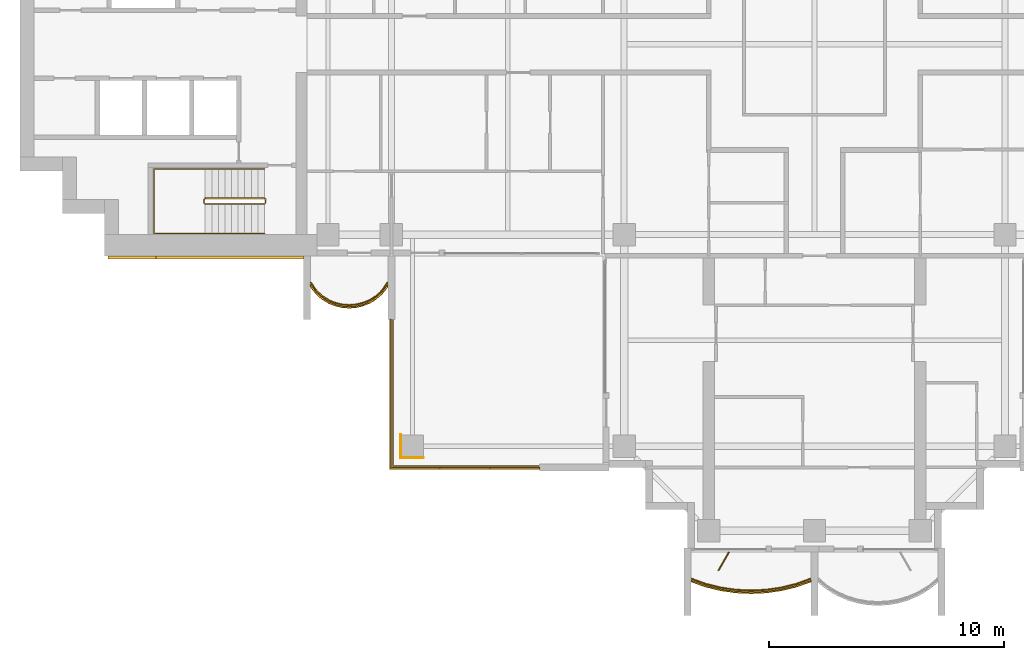
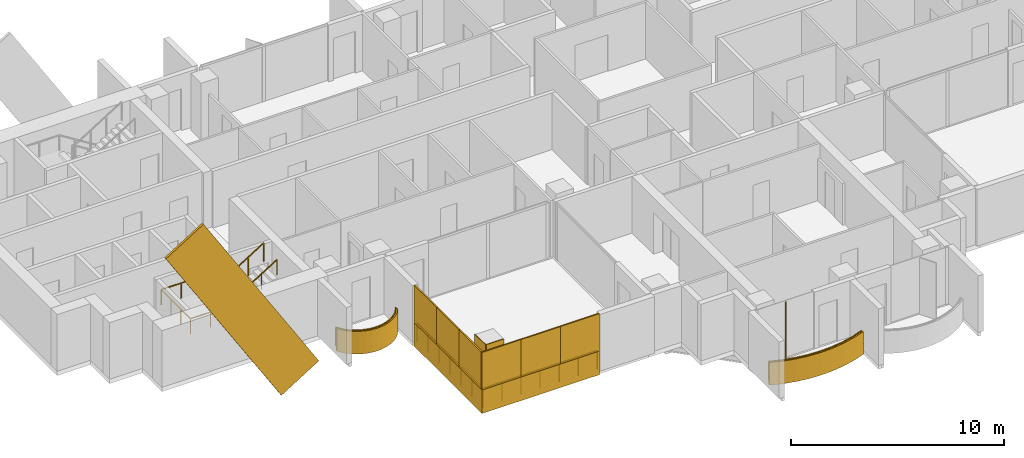
# One storey, part 14 of 17: 12 coverings, 5 railings, 1 shading device.
"""IFC4 building model written with IfcOpenShell, lengths in metres."""

from ifc_helpers import new_model, si_unit, direction, frame, origin, origin_2d, place, context, subcontext, project, spatial, polyline, rectangle, outline, extrude, material, layer, layer_set, material_profile, profile_set, type_object, element, save


model = new_model("IFC4")

# Units and contexts
model_context = context("Model", 3, precision=1e-05, world=origin(), true_north=direction((0.0, 1.0)))
body_context = subcontext(model_context, "Body", "Model", "MODEL_VIEW")
ifc_project = project(units=[si_unit("LENGTHUNIT", "METRE"), si_unit("AREAUNIT", "SQUARE_METRE"), si_unit("VOLUMEUNIT", "CUBIC_METRE"), si_unit("PLANEANGLEUNIT", "RADIAN"), si_unit("MASSUNIT", "GRAM", prefix="KILO")], contexts=[model_context])

# Site, building, storey
site_placement = place(None, origin())
site = spatial("IfcSite", under=ifc_project, at=site_placement, CompositionType="ELEMENT")
building_placement = place(site_placement, origin())
building = spatial("IfcBuilding", under=site, at=building_placement, Name="Perihelion Cross Residences", CompositionType="ELEMENT")
storey_placement = place(building_placement, frame((0.0, 0.0, 208.60009765625)))
storey = spatial("IfcBuildingStorey", under=building, at=storey_placement, Name="L52", CompositionType="ELEMENT", Elevation=208.60009765625)

# Coverings
ifc_material_1 = material(Name="Bronze anodised aluminium", Category="aluminium")
ifc_layer_1 = layer(ifc_material_1, 0.070068359375)
ifc_layer_set_1 = layer_set([ifc_layer_1], Name="Balcony fascia 1300")
covering_type_1 = type_object("IfcCoveringType", Name="Balcony fascia 1300", PredefinedType="CLADDING", material=ifc_layer_set_1)
covering_1_placement = place(storey_placement, frame((0.0, 0.0, -0.2001953125)))
element("IfcCovering", 1, at=covering_1_placement, inside=storey, type_object=covering_type_1, Name="Fascia BF1 L52 west side south bay 1", PredefinedType="CLADDING", context=body_context, shape_type="SweptSolid", body=[
    extrude(outline(polyline([(-21.226318359375, -10.616455078125), (-20.94091796875, -10.86328125), (-20.655517578125, -11.031494140625), (-20.370361328125, -11.142578125), (-20.085205078125, -11.206298828125), (-19.800048828125, -11.22705078125), (-19.514892578125, -11.206298828125), (-19.229736328125, -11.142578125), (-18.9443359375, -11.031494140625), (-18.6591796875, -10.86328125), (-18.373779296875, -10.616455078125), (-18.14990234375, -10.31689453125), (-18.14990234375, -10.199951171875), (-18.425048828125, -10.568603515625), (-18.699951171875, -10.806396484375), (-18.97509765625, -10.96875), (-19.25, -11.07568359375), (-19.52490234375, -11.136962890625), (-19.800048828125, -11.156982421875), (-20.074951171875, -11.136962890625), (-20.35009765625, -11.07568359375), (-20.625, -10.96875), (-20.89990234375, -10.806396484375), (-21.175048828125, -10.568603515625), (-21.449951171875, -10.199951171875), (-21.449951171875, -10.31689453125), (-21.226318359375, -10.616455078125)])), origin(), (0.0, 0.0, 1.0), 1.300048828125),
])
covering_2_placement = place(storey_placement, frame((0.0, 0.0, -0.2001953125)))
element("IfcCovering", 2, at=covering_2_placement, inside=storey, type_object=covering_type_1, Name="Fascia BF1 L52 south tip south bay 1", PredefinedType="CLADDING", context=body_context, shape_type="SweptSolid", body=[
    extrude(outline(polyline([(-4.63232421875, -23.090576171875), (-3.98828125, -23.247314453125), (-3.34423828125, -23.339599609375), (-2.699951171875, -23.3701171875), (-2.055908203125, -23.339599609375), (-1.411865234375, -23.247314453125), (-0.767578125, -23.090576171875), (-0.14990234375, -22.874267578125), (-0.14990234375, -22.800048828125), (-0.78759765625, -23.0234375), (-1.425048828125, -23.178466796875), (-2.0625, -23.269775390625), (-2.699951171875, -23.300048828125), (-3.33740234375, -23.269775390625), (-3.97509765625, -23.178466796875), (-4.612548828125, -23.0234375), (-5.25, -22.800048828125), (-5.25, -22.874267578125), (-4.63232421875, -23.090576171875)])), origin(), (0.0, 0.0, 1.0), 1.300048828125),
])

# Railings
ifc_material_2 = material(Name="Bronze anodised aluminium", Category="aluminium")
railing_type_1 = type_object("IfcRailingType", Name="Balcony guard 1100", PredefinedType="GUARDRAIL", material=ifc_material_2)
railing_1_placement = place(storey_placement, frame((-21.425048828125, -10.139892578125, 0.0)))
element("IfcRailing", 3, at=railing_1_placement, inside=storey, type_object=railing_type_1, Name="Guard GU1 L52 west side south bay 1 balcony", PredefinedType="GUARDRAIL", context=body_context, shape_type="SweptSolid", body=[
    extrude(rectangle(XDim=0.048095703125, YDim=0.048095703125, at=origin_2d()), frame((0.0, 0.0, 1.076171875), z_axis=(0.561260132269, -0.827639452857, 0.0), x_axis=(0.827639452857, 0.561260132269, 0.0)), (0.0, 0.0, 1.0), 0.4453125),
    extrude(rectangle(XDim=0.048095703125, YDim=0.048095703125, at=origin_2d()), frame((0.25, -0.36865234375, 1.076171875), z_axis=(0.756596535164, -0.653882009982, 0.0), x_axis=(0.653882009982, 0.756596535164, 0.0)), (0.0, 0.0, 1.0), 0.36376953125),
    extrude(rectangle(XDim=0.048095703125, YDim=0.048095703125, at=origin_2d()), frame((0.525146484375, -0.6064453125, 1.076171875), z_axis=(0.861048292884, -0.508523192511, 0.0), x_axis=(0.508523192511, 0.861048292884, 0.0)), (0.0, 0.0, 1.0), 0.3193359375),
    extrude(rectangle(XDim=0.048095703125, YDim=0.048095703125, at=origin_2d()), frame((0.800048828125, -0.768798828125, 1.076171875), z_axis=(0.931973602183, -0.362526143656, 0.0), x_axis=(0.362526143656, 0.931973602183, 0.0)), (0.0, 0.0, 1.0), 0.294921875),
    extrude(rectangle(XDim=0.048095703125, YDim=0.048095703125, at=origin_2d()), frame((1.074951171875, -0.875732421875, 1.076171875), z_axis=(0.976085059389, -0.21738895289, 0.0), x_axis=(0.21738895289, 0.976085059389, 0.0)), (0.0, 0.0, 1.0), 0.281982421875),
    extrude(rectangle(XDim=0.048095703125, YDim=0.048095703125, at=origin_2d()), frame((1.35009765625, -0.93701171875, 1.076171875), z_axis=(0.997358821833, -0.072631814734, 0.0), x_axis=(0.072631814734, 0.997358821833, 0.0)), (0.0, 0.0, 1.0), 0.275634765625),
    extrude(rectangle(XDim=0.048095703125, YDim=0.048095703125, at=origin_2d()), frame((1.625, -0.95703125, 1.076171875), z_axis=(0.997363488337, 0.072567707226, 0.0), x_axis=(-0.072567707226, 0.997363488337, 0.0)), (0.0, 0.0, 1.0), 0.27587890625),
    extrude(rectangle(XDim=0.048095703125, YDim=0.048095703125, at=origin_2d()), frame((1.900146484375, -0.93701171875, 1.076171875), z_axis=(0.976044077717, 0.217572880557, 0.0), x_axis=(-0.217572880557, 0.976044077717, 0.0)), (0.0, 0.0, 1.0), 0.28173828125),
    extrude(rectangle(XDim=0.048095703125, YDim=0.048095703125, at=origin_2d()), frame((2.175048828125, -0.875732421875, 1.076171875), z_axis=(0.931973602183, 0.362526143656, 0.0), x_axis=(-0.362526143656, 0.931973602183, 0.0)), (0.0, 0.0, 1.0), 0.294921875),
    extrude(rectangle(XDim=0.048095703125, YDim=0.048095703125, at=origin_2d()), frame((2.449951171875, -0.768798828125, 1.076171875), z_axis=(0.861245845072, 0.508188542123, 0.0), x_axis=(-0.508188542123, 0.861245845072, 0.0)), (0.0, 0.0, 1.0), 0.319580078125),
    extrude(rectangle(XDim=0.048095703125, YDim=0.048095703125, at=origin_2d()), frame((2.72509765625, -0.6064453125, 1.076171875), z_axis=(0.756309278473, 0.654214242658, 0.0), x_axis=(-0.654214242658, 0.756309278473, 0.0)), (0.0, 0.0, 1.0), 0.363525390625),
    extrude(rectangle(XDim=0.048095703125, YDim=0.048095703125, at=origin_2d()), frame((3.0, -0.36865234375, 1.076171875), z_axis=(0.561260132269, 0.827639452857, 0.0), x_axis=(-0.827639452857, 0.561260132269, 0.0)), (0.0, 0.0, 1.0), 0.4453125),
    extrude(rectangle(XDim=0.0419921875, YDim=0.0419921875, at=origin_2d()), origin(), (0.0, 0.0, 1.0), 1.052001953125),
    extrude(rectangle(XDim=0.0419921875, YDim=0.0419921875, at=origin_2d()), frame((0.25, -0.36865234375, 0.0)), (0.0, 0.0, 1.0), 1.052001953125),
    extrude(rectangle(XDim=0.0419921875, YDim=0.0419921875, at=origin_2d()), frame((0.525146484375, -0.6064453125, 0.0)), (0.0, 0.0, 1.0), 1.052001953125),
    extrude(rectangle(XDim=0.0419921875, YDim=0.0419921875, at=origin_2d()), frame((0.800048828125, -0.768798828125, 0.0)), (0.0, 0.0, 1.0), 1.052001953125),
    extrude(rectangle(XDim=0.0419921875, YDim=0.0419921875, at=origin_2d()), frame((1.074951171875, -0.875732421875, 0.0)), (0.0, 0.0, 1.0), 1.052001953125),
    extrude(rectangle(XDim=0.0419921875, YDim=0.0419921875, at=origin_2d()), frame((1.35009765625, -0.93701171875, 0.0)), (0.0, 0.0, 1.0), 1.052001953125),
    extrude(rectangle(XDim=0.0419921875, YDim=0.0419921875, at=origin_2d()), frame((1.625, -0.95703125, 0.0)), (0.0, 0.0, 1.0), 1.052001953125),
    extrude(rectangle(XDim=0.0419921875, YDim=0.0419921875, at=origin_2d()), frame((1.900146484375, -0.93701171875, 0.0)), (0.0, 0.0, 1.0), 1.052001953125),
    extrude(rectangle(XDim=0.0419921875, YDim=0.0419921875, at=origin_2d()), frame((2.175048828125, -0.875732421875, 0.0)), (0.0, 0.0, 1.0), 1.052001953125),
    extrude(rectangle(XDim=0.0419921875, YDim=0.0419921875, at=origin_2d()), frame((2.449951171875, -0.768798828125, 0.0)), (0.0, 0.0, 1.0), 1.052001953125),
    extrude(rectangle(XDim=0.0419921875, YDim=0.0419921875, at=origin_2d()), frame((2.72509765625, -0.6064453125, 0.0)), (0.0, 0.0, 1.0), 1.052001953125),
    extrude(rectangle(XDim=0.0419921875, YDim=0.0419921875, at=origin_2d()), frame((3.0, -0.36865234375, 0.0)), (0.0, 0.0, 1.0), 1.052001953125),
    extrude(rectangle(XDim=0.0419921875, YDim=0.0419921875, at=origin_2d()), frame((3.25, 0.0, 0.0)), (0.0, 0.0, 1.0), 1.052001953125),
])
railing_2_placement = place(storey_placement, frame((-5.22509765625, -22.739990234375, 0.0)))
element("IfcRailing", 4, at=railing_2_placement, inside=storey, type_object=railing_type_1, Name="Guard GU1 L52 south tip south bay 1 balcony", PredefinedType="GUARDRAIL", context=body_context, shape_type="SweptSolid", body=[
    extrude(rectangle(XDim=0.048095703125, YDim=0.048095703125, at=origin_2d()), frame((0.0, 0.0, 1.076171875), z_axis=(0.939355405384, -0.342945217749, 0.0), x_axis=(0.342945217749, 0.939355405384, 0.0)), (0.0, 0.0, 1.0), 0.652099609375),
    extrude(rectangle(XDim=0.048095703125, YDim=0.048095703125, at=origin_2d()), frame((0.612548828125, -0.2236328125, 1.076171875), z_axis=(0.971676841941, -0.236313594268, 0.0), x_axis=(0.236313594268, 0.971676841941, 0.0)), (0.0, 0.0, 1.0), 0.656005859375),
    extrude(rectangle(XDim=0.048095703125, YDim=0.048095703125, at=origin_2d()), frame((1.25, -0.378662109375, 1.076171875), z_axis=(0.989903964498, -0.141739694763, 0.0), x_axis=(0.141739694763, 0.989903964498, 0.0)), (0.0, 0.0, 1.0), 0.644287109375),
    extrude(rectangle(XDim=0.048095703125, YDim=0.048095703125, at=origin_2d()), frame((1.8876953125, -0.469970703125, 1.076171875), z_axis=(0.998892243319, -0.04705620296, 0.0), x_axis=(0.04705620296, 0.998892243319, 0.0)), (0.0, 0.0, 1.0), 0.63818359375),
    extrude(rectangle(XDim=0.048095703125, YDim=0.048095703125, at=origin_2d()), frame((2.525146484375, -0.5, 1.076171875), z_axis=(0.998892243319, 0.04705620296, 0.0), x_axis=(-0.04705620296, 0.998892243319, 0.0)), (0.0, 0.0, 1.0), 0.63818359375),
    extrude(rectangle(XDim=0.048095703125, YDim=0.048095703125, at=origin_2d()), frame((3.16259765625, -0.469970703125, 1.076171875), z_axis=(0.989896346386, 0.141792889142, 0.0), x_axis=(-0.141792889142, 0.989896346386, 0.0)), (0.0, 0.0, 1.0), 0.64404296875),
    extrude(rectangle(XDim=0.048095703125, YDim=0.048095703125, at=origin_2d()), frame((3.800048828125, -0.378662109375, 1.076171875), z_axis=(0.971676841941, 0.236313594268, 0.0), x_axis=(-0.236313594268, 0.971676841941, 0.0)), (0.0, 0.0, 1.0), 0.656005859375),
    extrude(rectangle(XDim=0.048095703125, YDim=0.048095703125, at=origin_2d()), frame((4.4375, -0.2236328125, 1.076171875), z_axis=(0.939355405384, 0.342945217749, 0.0), x_axis=(-0.342945217749, 0.939355405384, 0.0)), (0.0, 0.0, 1.0), 0.652099609375),
    extrude(rectangle(XDim=0.0419921875, YDim=0.0419921875, at=origin_2d()), origin(), (0.0, 0.0, 1.0), 1.052001953125),
    extrude(rectangle(XDim=0.0419921875, YDim=0.0419921875, at=origin_2d()), frame((0.612548828125, -0.2236328125, 0.0)), (0.0, 0.0, 1.0), 1.052001953125),
    extrude(rectangle(XDim=0.0419921875, YDim=0.0419921875, at=origin_2d()), frame((1.25, -0.378662109375, 0.0)), (0.0, 0.0, 1.0), 1.052001953125),
    extrude(rectangle(XDim=0.0419921875, YDim=0.0419921875, at=origin_2d()), frame((1.8876953125, -0.469970703125, 0.0)), (0.0, 0.0, 1.0), 1.052001953125),
    extrude(rectangle(XDim=0.0419921875, YDim=0.0419921875, at=origin_2d()), frame((2.525146484375, -0.5, 0.0)), (0.0, 0.0, 1.0), 1.052001953125),
    extrude(rectangle(XDim=0.0419921875, YDim=0.0419921875, at=origin_2d()), frame((3.16259765625, -0.469970703125, 0.0)), (0.0, 0.0, 1.0), 1.052001953125),
    extrude(rectangle(XDim=0.0419921875, YDim=0.0419921875, at=origin_2d()), frame((3.800048828125, -0.378662109375, 0.0)), (0.0, 0.0, 1.0), 1.052001953125),
    extrude(rectangle(XDim=0.0419921875, YDim=0.0419921875, at=origin_2d()), frame((4.4375, -0.2236328125, 0.0)), (0.0, 0.0, 1.0), 1.052001953125),
    extrude(rectangle(XDim=0.0419921875, YDim=0.0419921875, at=origin_2d()), frame((5.050048828125, 0.0, 0.0)), (0.0, 0.0, 1.0), 1.052001953125),
])
railing_3_placement = place(storey_placement, frame((-11.739990234375, -17.93994140625, 0.0)))
element("IfcRailing", 5, at=railing_3_placement, inside=storey, type_object=railing_type_1, Name="Guard GU1 L52 pocket south-west 1", PredefinedType="GUARDRAIL", context=body_context, shape_type="SweptSolid", body=[
    extrude(rectangle(XDim=0.048095703125, YDim=0.048095703125, at=origin_2d()), frame((0.0, 0.0, 1.076171875), z_axis=(-1.0, 0.0, 0.0), x_axis=(0.0, -1.0, 0.0)), (0.0, 0.0, 1.0), 6.199951171875),
    extrude(rectangle(XDim=0.048095703125, YDim=0.048095703125, at=origin_2d()), frame((-6.199951171875, 0.0, 1.076171875), z_axis=(0.0, 1.0, 0.0), x_axis=(-1.0, 0.0, 0.0)), (0.0, 0.0, 1.0), 6.199951171875),
    extrude(rectangle(XDim=0.0419921875, YDim=0.0419921875, at=origin_2d()), origin(), (0.0, 0.0, 1.0), 1.052001953125),
    extrude(rectangle(XDim=0.0419921875, YDim=0.0419921875, at=origin_2d()), frame((-1.033203125, 0.0, 0.0)), (0.0, 0.0, 1.0), 1.052001953125),
    extrude(rectangle(XDim=0.0419921875, YDim=0.0419921875, at=origin_2d()), frame((-2.066650390625, 0.0, 0.0)), (0.0, 0.0, 1.0), 1.052001953125),
    extrude(rectangle(XDim=0.0419921875, YDim=0.0419921875, at=origin_2d()), frame((-3.10009765625, 0.0, 0.0)), (0.0, 0.0, 1.0), 1.052001953125),
    extrude(rectangle(XDim=0.0419921875, YDim=0.0419921875, at=origin_2d()), frame((-4.13330078125, 0.0, 0.0)), (0.0, 0.0, 1.0), 1.052001953125),
    extrude(rectangle(XDim=0.0419921875, YDim=0.0419921875, at=origin_2d()), frame((-5.16650390625, 0.0, 0.0)), (0.0, 0.0, 1.0), 1.052001953125),
    extrude(rectangle(XDim=0.0419921875, YDim=0.0419921875, at=origin_2d()), frame((-6.199951171875, 0.0, 0.0)), (0.0, 0.0, 1.0), 1.052001953125),
    extrude(rectangle(XDim=0.0419921875, YDim=0.0419921875, at=origin_2d()), frame((-6.199951171875, 1.033203125, 0.0)), (0.0, 0.0, 1.0), 1.052001953125),
    extrude(rectangle(XDim=0.0419921875, YDim=0.0419921875, at=origin_2d()), frame((-6.199951171875, 2.066650390625, 0.0)), (0.0, 0.0, 1.0), 1.052001953125),
    extrude(rectangle(XDim=0.0419921875, YDim=0.0419921875, at=origin_2d()), frame((-6.199951171875, 3.10009765625, 0.0)), (0.0, 0.0, 1.0), 1.052001953125),
    extrude(rectangle(XDim=0.0419921875, YDim=0.0419921875, at=origin_2d()), frame((-6.199951171875, 4.13330078125, 0.0)), (0.0, 0.0, 1.0), 1.052001953125),
    extrude(rectangle(XDim=0.0419921875, YDim=0.0419921875, at=origin_2d()), frame((-6.199951171875, 5.16650390625, 0.0)), (0.0, 0.0, 1.0), 1.052001953125),
    extrude(rectangle(XDim=0.0419921875, YDim=0.0419921875, at=origin_2d()), frame((-6.199951171875, 6.199951171875, 0.0)), (0.0, 0.0, 1.0), 1.052001953125),
])

# Coverings
ifc_material_3 = material(Name="Bronze anodised aluminium", Category="aluminium")
ifc_material_profile = material_profile(ifc_material_3, rectangle(XDim=0.125, YDim=2.39990234375, at=origin_2d()), Name="Bronze cladding band 2400")
ifc_profile_set = profile_set([ifc_material_profile], Name="Bronze anodised aluminium")
covering_type_2 = type_object("IfcCoveringType", Name="Bronze cladding band 2400", PredefinedType="CLADDING", material=ifc_profile_set)
covering_3_placement = place(storey_placement, frame((-22.767578125, -9.0625, -1.996337890625), z_axis=(-0.529915403603, 0.0, 0.848050508534), x_axis=(0.0, -1.0, 0.0)))
element("IfcCovering", 6, at=covering_3_placement, inside=storey, type_object=covering_type_2, Name="Core cladding band, west core", PredefinedType="CLADDING", context=body_context, shape_type="SweptSolid", body=[
    extrude(rectangle(XDim=0.125, YDim=2.39990234375, at=origin_2d()), origin(), (0.0, 0.0, 1.0), 11.822021484375),
])
ifc_material_4 = material(Name="Bronze anodised aluminium", Category="aluminium")
ifc_layer_2 = layer(ifc_material_4, 0.0400390625)
ifc_layer_set_2 = layer_set([ifc_layer_2], Name="Bronze column casing 40")
covering_type_3 = type_object("IfcCoveringType", Name="Bronze column casing 40", PredefinedType="CLADDING", material=ifc_layer_set_2)
covering_4_placement = place(storey_placement, frame((-17.594970703125, -17.10009765625, -0.25), z_axis=(0.0, 0.0, 1.0), x_axis=(1.0, 0.0, 0.0)))
element("IfcCovering", 7, at=covering_4_placement, inside=storey, type_object=covering_type_3, Name="Cladding CC1 L52 casing east-west no. 1", PredefinedType="CLADDING", context=body_context, shape_type="SweptSolid", body=[
    extrude(rectangle(XDim=0.0400390625, YDim=1.030029296875, at=origin_2d()), origin(), (0.0, 0.0, 1.0), 3.5),
])
covering_5_placement = place(storey_placement, frame((-17.10009765625, -17.594970703125, -0.25), z_axis=(0.0, 0.0, 1.0), x_axis=(1.0, 0.0, 0.0)))
element("IfcCovering", 8, at=covering_5_placement, inside=storey, type_object=covering_type_3, Name="Cladding CC1 L52 casing north-south no. 1", PredefinedType="CLADDING", context=body_context, shape_type="SweptSolid", body=[
    extrude(rectangle(XDim=0.949951171875, YDim=0.0400390625, at=origin_2d()), origin(), (0.0, 0.0, 1.0), 3.5),
])

# Shading device
ifc_material_5 = material(Name="Bronze anodised aluminium", Category="aluminium")
ifc_layer_3 = layer(ifc_material_5, 0.050048828125)
ifc_layer_set_3 = layer_set([ifc_layer_3], Name="Bronze fin 900")
shading_device_type = type_object("IfcShadingDeviceType", Name="Bronze fin 900", PredefinedType="USERDEFINED", material=ifc_layer_set_3)
shading_device_placement = place(storey_placement, frame((-3.862548828125, -21.98974609375, 0.0), z_axis=(0.0, 0.0, 1.0), x_axis=(-0.5, -0.866025403784, 0.0)))
element("IfcShadingDevice", 9, at=shading_device_placement, inside=storey, type_object=shading_device_type, Name="Fin FN1 L52 south tip south bay 1", ObjectType="FIN", PredefinedType="USERDEFINED", context=body_context, shape_type="SweptSolid", body=[
    extrude(rectangle(XDim=0.89990234375, YDim=0.050048828125, at=origin_2d()), origin(), (0.0, 0.0, 1.0), 3.25),
])

# Coverings
ifc_material_6 = material(Name="Bronze anodised aluminium", Category="aluminium")
ifc_layer_4 = layer(ifc_material_6, 0.070068359375)
ifc_layer_set_4 = layer_set([ifc_layer_4], Name="Pocket fascia 1350")
covering_type_4 = type_object("IfcCoveringType", Name="Pocket fascia 1350", PredefinedType="CLADDING", material=ifc_layer_set_4)
covering_6_placement = place(storey_placement, frame((0.0, 0.0, -0.25)))
element("IfcCovering", 10, at=covering_6_placement, inside=storey, type_object=covering_type_4, Name="Fascia BF2 L52 pocket south-west 1", PredefinedType="CLADDING", context=body_context, shape_type="SweptSolid", body=[
    extrude(outline(polyline([(-18.070068359375, -11.699951171875), (-18.070068359375, -18.070068359375), (-11.699951171875, -18.070068359375), (-11.699951171875, -18.0), (-18.0, -18.0), (-18.0, -11.699951171875), (-18.070068359375, -11.699951171875)])), origin(), (0.0, 0.0, 1.0), 1.349853515625),
])
ifc_material_7 = material(Name="Bronze perforated aluminium", Category="aluminium")
ifc_layer_5 = layer(ifc_material_7, 0.070068359375)
ifc_layer_set_5 = layer_set([ifc_layer_5], Name="Pocket solar screen, bronze perforated")
covering_type_5 = type_object("IfcCoveringType", Name="Pocket solar screen, bronze perforated", PredefinedType="CLADDING", material=ifc_layer_set_5)
covering_7_placement = place(storey_placement, frame((0.0, 0.0, 1.099853515625)))
element("IfcCovering", 11, at=covering_7_placement, inside=storey, type_object=covering_type_5, Name="Solar screen PS1 L52 pocket south-west no. 1", PredefinedType="CLADDING", context=body_context, shape_type="SweptSolid", body=[
    extrude(outline(polyline([(-18.0, -18.0), (-18.0, -15.89990234375), (-18.070068359375, -15.89990234375), (-18.070068359375, -18.0), (-18.0, -18.0)])), origin(), (0.0, 0.0, 1.0), 2.150146484375),
])
covering_8_placement = place(storey_placement, frame((0.0, 0.0, 1.099853515625)))
element("IfcCovering", 12, at=covering_8_placement, inside=storey, type_object=covering_type_5, Name="Solar screen PS1 L52 pocket south-west no. 2", PredefinedType="CLADDING", context=body_context, shape_type="SweptSolid", body=[
    extrude(outline(polyline([(-18.0, -15.89990234375), (-18.0, -13.800048828125), (-18.070068359375, -13.800048828125), (-18.070068359375, -15.89990234375), (-18.0, -15.89990234375)])), origin(), (0.0, 0.0, 1.0), 2.150146484375),
])
covering_9_placement = place(storey_placement, frame((0.0, 0.0, 1.099853515625)))
element("IfcCovering", 13, at=covering_9_placement, inside=storey, type_object=covering_type_5, Name="Solar screen PS1 L52 pocket south-west no. 3", PredefinedType="CLADDING", context=body_context, shape_type="SweptSolid", body=[
    extrude(outline(polyline([(-18.0, -13.800048828125), (-18.0, -11.699951171875), (-18.070068359375, -11.699951171875), (-18.070068359375, -13.800048828125), (-18.0, -13.800048828125)])), origin(), (0.0, 0.0, 1.0), 2.150146484375),
])
covering_10_placement = place(storey_placement, frame((0.0, 0.0, 1.099853515625)))
element("IfcCovering", 14, at=covering_10_placement, inside=storey, type_object=covering_type_5, Name="Solar screen PS1 L52 pocket south-west no. 4", PredefinedType="CLADDING", context=body_context, shape_type="SweptSolid", body=[
    extrude(outline(polyline([(-15.94677734375, -18.070068359375), (-15.94677734375, -18.0), (-18.070068359375, -18.0), (-18.070068359375, -18.070068359375), (-15.94677734375, -18.070068359375)])), origin(), (0.0, 0.0, 1.0), 2.150146484375),
])
covering_11_placement = place(storey_placement, frame((0.0, 0.0, 1.099853515625)))
element("IfcCovering", 15, at=covering_11_placement, inside=storey, type_object=covering_type_5, Name="Solar screen PS1 L52 pocket south-west no. 5", PredefinedType="CLADDING", context=body_context, shape_type="SweptSolid", body=[
    extrude(outline(polyline([(-13.8232421875, -18.070068359375), (-13.8232421875, -18.0), (-15.94677734375, -18.0), (-15.94677734375, -18.070068359375), (-13.8232421875, -18.070068359375)])), origin(), (0.0, 0.0, 1.0), 2.150146484375),
])
covering_12_placement = place(storey_placement, frame((0.0, 0.0, 1.099853515625)))
element("IfcCovering", 16, at=covering_12_placement, inside=storey, type_object=covering_type_5, Name="Solar screen PS1 L52 pocket south-west no. 6", PredefinedType="CLADDING", context=body_context, shape_type="SweptSolid", body=[
    extrude(outline(polyline([(-11.699951171875, -18.070068359375), (-11.699951171875, -18.0), (-13.8232421875, -18.0), (-13.8232421875, -18.070068359375), (-11.699951171875, -18.070068359375)])), origin(), (0.0, 0.0, 1.0), 2.150146484375),
])

# Railings
ifc_material_8 = material(Name="Stainless steel", Category="steel")
railing_type_2 = type_object("IfcRailingType", Name="Stair guard 1100", PredefinedType="GUARDRAIL", material=ifc_material_8)
railing_4_placement = place(storey_placement, frame((-23.35009765625, -6.75, 0.0)))
element("IfcRailing", 17, at=railing_4_placement, inside=storey, type_object=railing_type_2, Name="L52 ST-W2 stair guard 1", PredefinedType="GUARDRAIL", context=body_context, shape_type="SweptSolid", body=[
    extrude(rectangle(XDim=0.048095703125, YDim=0.048095703125, at=origin_2d()), frame((0.0, 0.0, 1.076171875), z_axis=(0.0, 1.0, 0.0), x_axis=(-1.0, 0.0, 0.0)), (0.0, 0.0, 1.0), 0.14990234375),
    extrude(rectangle(XDim=0.048095703125, YDim=0.048095703125, at=origin_2d()), frame((0.0, 0.14990234375, 1.076171875), z_axis=(-0.264179342666, 0.265474339444, 0.927217692888), x_axis=(-0.708833529934, -0.705375805398, 0.0)), (0.0, 0.0, 1.0), 0.1884765625),
    extrude(rectangle(XDim=0.048095703125, YDim=0.048095703125, at=origin_2d()), frame((-0.0498046875, 0.199951171875, 1.2509765625), z_axis=(-0.847970611238, 0.0, 0.530043245855), x_axis=(0.0, -1.0, 0.0)), (0.0, 0.0, 1.0), 2.971923828125),
    extrude(rectangle(XDim=0.048095703125, YDim=0.048095703125, at=origin_2d()), frame((-2.56982421875, 0.199951171875, 2.826171875), z_axis=(-0.707106781187, -0.707106781187, 0.0), x_axis=(0.707106781187, -0.707106781187, 0.0)), (0.0, 0.0, 1.0), 0.07080078125),
    extrude(rectangle(XDim=0.048095703125, YDim=0.048095703125, at=origin_2d()), frame((-2.619873046875, 0.14990234375, 2.826171875), z_axis=(0.0, -1.0, 0.0), x_axis=(1.0, 0.0, 0.0)), (0.0, 0.0, 1.0), 0.14990234375),
    extrude(rectangle(XDim=0.048095703125, YDim=0.048095703125, at=origin_2d()), frame((-2.619873046875, 0.0, 2.826171875), z_axis=(0.265383341853, -0.265383341853, 0.926899867156), x_axis=(0.707106781187, 0.707106781187, 0.0)), (0.0, 0.0, 1.0), 0.1884765625),
    extrude(rectangle(XDim=0.048095703125, YDim=0.048095703125, at=origin_2d()), frame((-2.56982421875, -0.050048828125, 3.0009765625), z_axis=(0.847970611238, 0.0, 0.530043245855), x_axis=(0.0, 1.0, 0.0)), (0.0, 0.0, 1.0), 2.971923828125),
    extrude(rectangle(XDim=0.0419921875, YDim=0.0419921875, at=origin_2d()), origin(), (0.0, 0.0, 1.0), 1.052001953125),
    extrude(rectangle(XDim=0.0419921875, YDim=0.0419921875, at=origin_2d()), frame((0.0, 0.14990234375, 0.0)), (0.0, 0.0, 1.0), 1.052001953125),
    extrude(rectangle(XDim=0.0419921875, YDim=0.0419921875, at=origin_2d()), frame((-0.0498046875, 0.199951171875, 0.1748046875)), (0.0, 0.0, 1.0), 1.052001953125),
    extrude(rectangle(XDim=0.0419921875, YDim=0.0419921875, at=origin_2d()), frame((-0.889892578125, 0.199951171875, 0.699951171875)), (0.0, 0.0, 1.0), 1.052001953125),
    extrude(rectangle(XDim=0.0419921875, YDim=0.0419921875, at=origin_2d()), frame((-1.729736328125, 0.199951171875, 1.224853515625)), (0.0, 0.0, 1.0), 1.052001953125),
    extrude(rectangle(XDim=0.0419921875, YDim=0.0419921875, at=origin_2d()), frame((-2.56982421875, 0.199951171875, 1.75)), (0.0, 0.0, 1.0), 1.052001953125),
    extrude(rectangle(XDim=0.0419921875, YDim=0.0419921875, at=origin_2d()), frame((-2.619873046875, 0.14990234375, 1.75)), (0.0, 0.0, 1.0), 1.052001953125),
    extrude(rectangle(XDim=0.0419921875, YDim=0.0419921875, at=origin_2d()), frame((-2.619873046875, 0.0, 1.75)), (0.0, 0.0, 1.0), 1.052001953125),
    extrude(rectangle(XDim=0.0419921875, YDim=0.0419921875, at=origin_2d()), frame((-2.56982421875, -0.050048828125, 1.9248046875)), (0.0, 0.0, 1.0), 1.052001953125),
    extrude(rectangle(XDim=0.0419921875, YDim=0.0419921875, at=origin_2d()), frame((-1.729736328125, -0.050048828125, 2.449951171875)), (0.0, 0.0, 1.0), 1.052001953125),
    extrude(rectangle(XDim=0.0419921875, YDim=0.0419921875, at=origin_2d()), frame((-0.889892578125, -0.050048828125, 2.974853515625)), (0.0, 0.0, 1.0), 1.052001953125),
    extrude(rectangle(XDim=0.0419921875, YDim=0.0419921875, at=origin_2d()), frame((-0.0498046875, -0.050048828125, 3.5)), (0.0, 0.0, 1.0), 1.052001953125),
])
ifc_material_9 = material(Name="Stainless steel", Category="steel")
railing_type_3 = type_object("IfcRailingType", Name="Stair handrail 900", PredefinedType="HANDRAIL", material=ifc_material_9)
railing_5_placement = place(storey_placement, frame((-23.39990234375, -5.300048828125, 0.1748046875)))
element("IfcRailing", 18, at=railing_5_placement, inside=storey, type_object=railing_type_3, Name="L52 ST-W2 stair handrail 1", PredefinedType="HANDRAIL", context=body_context, shape_type="SweptSolid", body=[
    extrude(rectangle(XDim=0.048095703125, YDim=0.048095703125, at=origin_2d()), frame((0.0, 0.0, 0.8759765625), z_axis=(-0.847970611238, 0.0, 0.530043245855), x_axis=(0.0, -1.0, 0.0)), (0.0, 0.0, 1.0), 2.971923828125),
    extrude(rectangle(XDim=0.048095703125, YDim=0.048095703125, at=origin_2d()), frame((-2.52001953125, 0.0, 2.451171875), z_axis=(-1.0, 0.0, 0.0), x_axis=(0.0, -1.0, 0.0)), (0.0, 0.0, 1.0), 2.18017578125),
    extrude(rectangle(XDim=0.048095703125, YDim=0.048095703125, at=origin_2d()), frame((-4.7001953125, 0.0, 2.451171875), z_axis=(0.0, -1.0, 0.0), x_axis=(1.0, 0.0, 0.0)), (0.0, 0.0, 1.0), 2.75),
    extrude(rectangle(XDim=0.048095703125, YDim=0.048095703125, at=origin_2d()), frame((-4.7001953125, -2.75, 2.451171875), z_axis=(1.0, 0.0, 0.0), x_axis=(0.0, 1.0, 0.0)), (0.0, 0.0, 1.0), 2.18017578125),
    extrude(rectangle(XDim=0.048095703125, YDim=0.048095703125, at=origin_2d()), frame((-2.52001953125, -2.75, 2.451171875), z_axis=(0.0, 0.0, 1.0), x_axis=(1.0, 0.0, 0.0)), (0.0, 0.0, 1.0), 0.1748046875),
    extrude(rectangle(XDim=0.048095703125, YDim=0.048095703125, at=origin_2d()), frame((-2.52001953125, -2.75, 2.6259765625), z_axis=(0.847970611238, 0.0, 0.530043245855), x_axis=(0.0, 1.0, 0.0)), (0.0, 0.0, 1.0), 2.971923828125),
    extrude(rectangle(XDim=0.0419921875, YDim=0.0419921875, at=origin_2d()), origin(), (0.0, 0.0, 1.0), 0.851806640625),
    extrude(rectangle(XDim=0.0419921875, YDim=0.0419921875, at=origin_2d()), frame((-0.840087890625, 0.0, 0.525146484375)), (0.0, 0.0, 1.0), 0.851806640625),
    extrude(rectangle(XDim=0.0419921875, YDim=0.0419921875, at=origin_2d()), frame((-1.679931640625, 0.0, 1.050048828125)), (0.0, 0.0, 1.0), 0.851806640625),
    extrude(rectangle(XDim=0.0419921875, YDim=0.0419921875, at=origin_2d()), frame((-2.52001953125, 0.0, 1.5751953125)), (0.0, 0.0, 1.0), 0.851806640625),
    extrude(rectangle(XDim=0.0419921875, YDim=0.0419921875, at=origin_2d()), frame((-3.610107421875, 0.0, 1.5751953125)), (0.0, 0.0, 1.0), 0.851806640625),
    extrude(rectangle(XDim=0.0419921875, YDim=0.0419921875, at=origin_2d()), frame((-4.7001953125, 0.0, 1.5751953125)), (0.0, 0.0, 1.0), 0.851806640625),
    extrude(rectangle(XDim=0.0419921875, YDim=0.0419921875, at=origin_2d()), frame((-4.7001953125, -0.916748046875, 1.5751953125)), (0.0, 0.0, 1.0), 0.851806640625),
    extrude(rectangle(XDim=0.0419921875, YDim=0.0419921875, at=origin_2d()), frame((-4.7001953125, -1.833251953125, 1.5751953125)), (0.0, 0.0, 1.0), 0.851806640625),
    extrude(rectangle(XDim=0.0419921875, YDim=0.0419921875, at=origin_2d()), frame((-4.7001953125, -2.75, 1.5751953125)), (0.0, 0.0, 1.0), 0.851806640625),
    extrude(rectangle(XDim=0.0419921875, YDim=0.0419921875, at=origin_2d()), frame((-3.610107421875, -2.75, 1.5751953125)), (0.0, 0.0, 1.0), 0.851806640625),
    extrude(rectangle(XDim=0.0419921875, YDim=0.0419921875, at=origin_2d()), frame((-2.52001953125, -2.75, 1.5751953125)), (0.0, 0.0, 1.0), 0.851806640625),
    extrude(rectangle(XDim=0.0419921875, YDim=0.0419921875, at=origin_2d()), frame((-2.52001953125, -2.75, 1.75)), (0.0, 0.0, 1.0), 0.851806640625),
    extrude(rectangle(XDim=0.0419921875, YDim=0.0419921875, at=origin_2d()), frame((-1.679931640625, -2.75, 2.275146484375)), (0.0, 0.0, 1.0), 0.851806640625),
    extrude(rectangle(XDim=0.0419921875, YDim=0.0419921875, at=origin_2d()), frame((-0.840087890625, -2.75, 2.800048828125)), (0.0, 0.0, 1.0), 0.851806640625),
    extrude(rectangle(XDim=0.0419921875, YDim=0.0419921875, at=origin_2d()), frame((0.0, -2.75, 3.3251953125)), (0.0, 0.0, 1.0), 0.851806640625),
])

save(model, "model.ifc")
